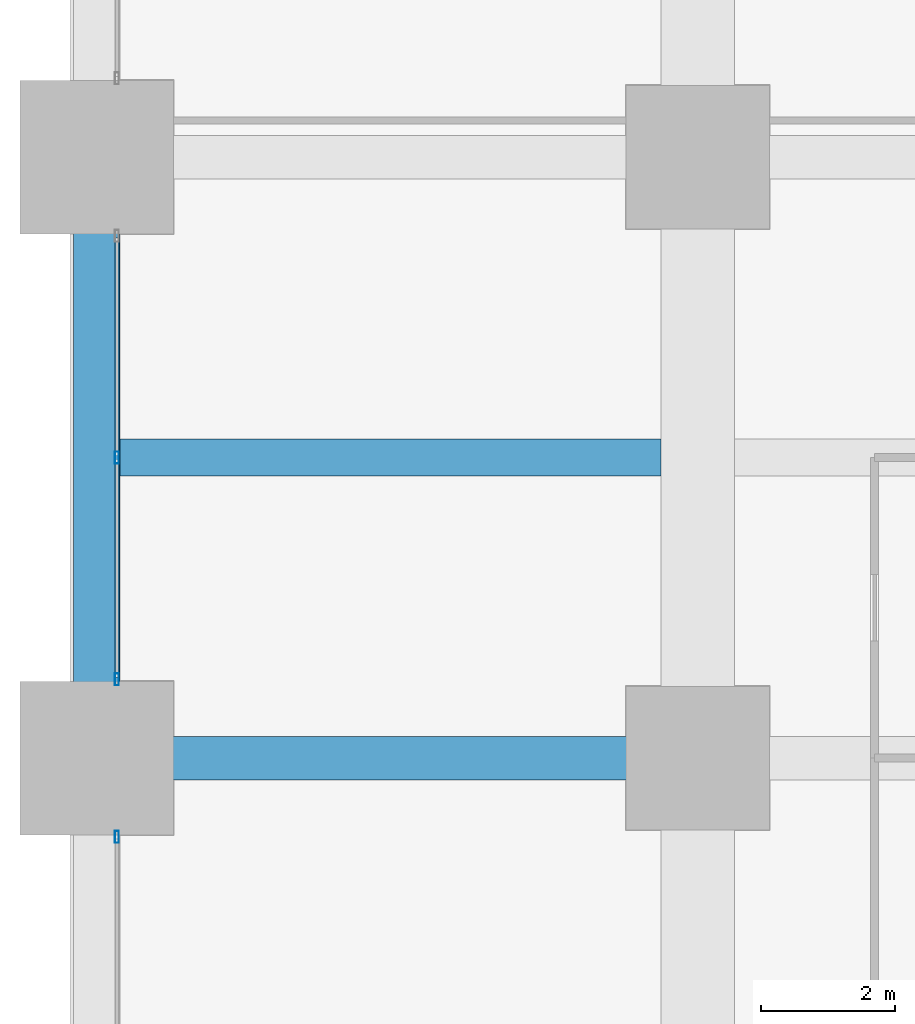
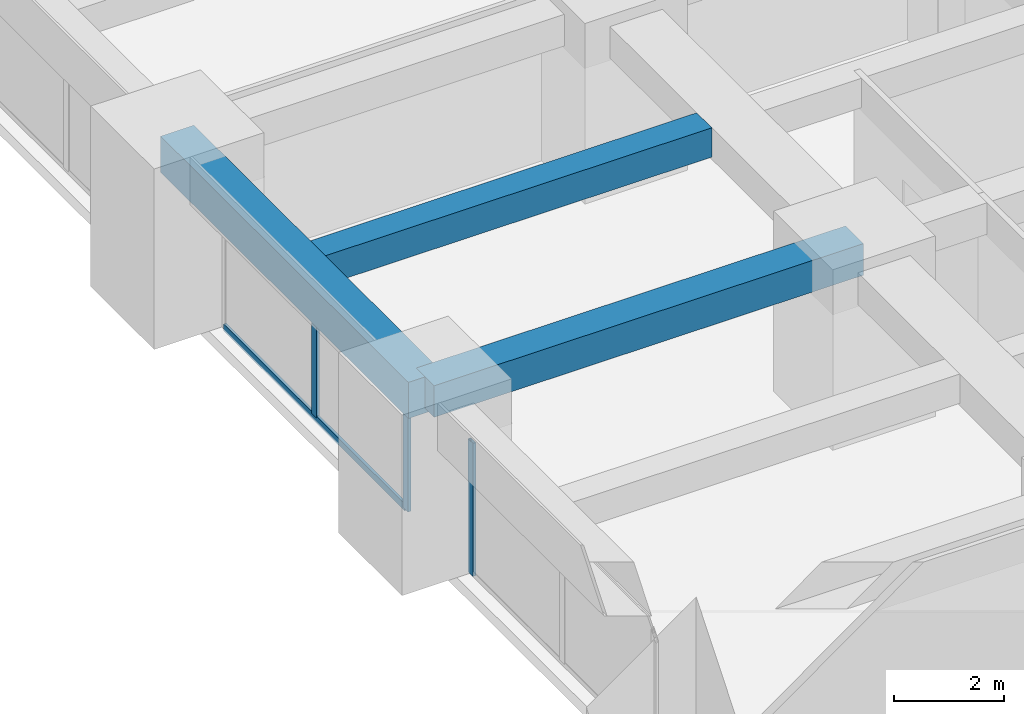
# One storey, part 11 of 44: 4 members, 3 beams, 2 elements without a shape of their own.
"""IFC4 building model written with IfcOpenShell, lengths in metres."""

from ifc_helpers import new_model, si_unit, direction, frame, origin, origin_2d, place, context, subcontext, project, spatial, rectangle, hollow_rectangle, extrude, material, material_profile, profile_set, type_object, element, aggregate, save


model = new_model("IFC4")

# Units and contexts
model_context = context("Model", 3, precision=1e-05, world=origin(), true_north=direction((0.0, 1.0)))
body_context = subcontext(model_context, "Body", "Model", "MODEL_VIEW")
ifc_project = project(units=[si_unit("LENGTHUNIT", "METRE"), si_unit("AREAUNIT", "SQUARE_METRE"), si_unit("VOLUMEUNIT", "CUBIC_METRE"), si_unit("PLANEANGLEUNIT", "RADIAN"), si_unit("MASSUNIT", "GRAM", prefix="KILO")], contexts=[model_context])

# Site, building, storey
site_placement = place(None, origin())
site = spatial("IfcSite", under=ifc_project, at=site_placement, CompositionType="ELEMENT")
building_placement = place(site_placement, origin())
building = spatial("IfcBuilding", under=site, at=building_placement, Name="Zorevar Civic Tower", CompositionType="ELEMENT")
storey_placement = place(building_placement, frame((0.0, 0.0, 55.800048828125)))
storey = spatial("IfcBuildingStorey", under=building, at=storey_placement, Name="L13", CompositionType="ELEMENT", Elevation=55.800048828125)

# Beams
ifc_material_1 = material(Name="Concrete C50/60", Category="concrete")
ifc_material_profile_1 = material_profile(ifc_material_1, rectangle(XDim=0.550048828125, YDim=0.64990234375, at=origin_2d()), Name="RC 550x650")
ifc_profile_set_1 = profile_set([ifc_material_profile_1], Name="Concrete C50/60")
beam_type_1 = type_object("IfcBeamType", Name="Beam RC 550x650", PredefinedType="BEAM", material=ifc_profile_set_1)
beam_1_placement = place(storey_placement, frame((0.35009765625, 31.5, 3.425048828125), z_axis=(1.0, 0.0, 0.0), x_axis=(0.0, 1.0, 0.0)))
element("IfcBeam", 1, at=beam_1_placement, inside=storey, type_object=beam_type_1, Name="Secondary beam L14", PredefinedType="BEAM", context=body_context, shape_type="SweptSolid", body=[
    extrude(rectangle(XDim=0.550048828125, YDim=0.64990234375, at=origin_2d()), origin(), (0.0, 0.0, 1.0), 8.099853515625),
])
ifc_material_2 = material(Name="Concrete C50/60", Category="concrete")
ifc_material_profile_2 = material_profile(ifc_material_2, rectangle(XDim=0.64990234375, YDim=0.699951171875, at=origin_2d()), Name="RC 650x700")
ifc_profile_set_2 = profile_set([ifc_material_profile_2], Name="Concrete C50/60")
beam_type_2 = type_object("IfcBeamType", Name="Beam RC 650x700", PredefinedType="BEAM", material=ifc_profile_set_2)
beam_2_placement = place(storey_placement, frame((0.0, 27.0, 3.39990234375), z_axis=(1.0, 0.0, 0.0), x_axis=(0.0, 1.0, 0.0)))
element("IfcBeam", 2, at=beam_2_placement, inside=storey, type_object=beam_type_2, Name="Girder L14", PredefinedType="BEAM", context=body_context, shape_type="SweptSolid", body=[
    extrude(rectangle(XDim=0.64990234375, YDim=0.699951171875, at=origin_2d()), origin(), (0.0, 0.0, 1.0), 9.0),
])

# Curtain wall, member
ifc_material_3 = material(Name="Dark grey solar-control glass in black aluminium frame", Category="aluminium")
curtain_wall_type = type_object("IfcCurtainWallType", Name="Curtain wall CW2 low zone", PredefinedType="NOTDEFINED", material=ifc_material_3)
curtain_wall_1_placement = place(storey_placement, origin())
curtain_wall_1 = element("IfcCurtainWall", 3, at=curtain_wall_1_placement, inside=storey, type_object=curtain_wall_type, Name="CW2 L13", PredefinedType="NOTDEFINED")
ifc_material_4 = material(Name="Aluminium, black anodised", Category="aluminium")
ifc_material_profile_3 = material_profile(ifc_material_4, hollow_rectangle(XDim=0.06005859375, YDim=0.179931640625, WallThickness=0.00390625, at=origin_2d()), Name="AL 180x60x4")
ifc_profile_set_3 = profile_set([ifc_material_profile_3], Name="Aluminium, black anodised")
member_type_1 = type_object("IfcMemberType", Name="CW2 mullion AL 180x60x4", PredefinedType="MULLION", material=ifc_profile_set_3)
member_1_placement = place(storey_placement, frame((0.300048828125, 25.820068359375, 0.0), z_axis=(0.0, 0.0, 1.0), x_axis=(-1.0, 0.0, 0.0)))
member_1 = element("IfcMember", 4, at=member_1_placement, type_object=member_type_1, Name="CW2 mullion 3", PredefinedType="MULLION", context=body_context, shape_type="SweptSolid", body=[
    extrude(hollow_rectangle(XDim=0.06005859375, YDim=0.179931640625, WallThickness=0.00390625, at=origin_2d()), origin(), (0.0, 0.0, 1.0), 2.949951171875),
])
aggregate(curtain_wall_1, [member_1])

# Curtain wall, members
curtain_wall_2_placement = place(storey_placement, origin())
curtain_wall_2 = element("IfcCurtainWall", 5, at=curtain_wall_2_placement, inside=storey, type_object=curtain_wall_type, Name="CW2 L13", PredefinedType="NOTDEFINED")
member_2_placement = place(storey_placement, frame((0.300048828125, 28.179931640625, 0.0), z_axis=(0.0, 0.0, 1.0), x_axis=(-1.0, 0.0, 0.0)))
member_2 = element("IfcMember", 6, at=member_2_placement, type_object=member_type_1, Name="CW2 mullion 1", PredefinedType="MULLION", context=body_context, shape_type="SweptSolid", body=[
    extrude(hollow_rectangle(XDim=0.06005859375, YDim=0.179931640625, WallThickness=0.00390625, at=origin_2d()), origin(), (0.0, 0.0, 1.0), 2.949951171875),
])
member_3_placement = place(storey_placement, frame((0.300048828125, 31.5, 0.06005859375), z_axis=(0.0, 0.0, 1.0), x_axis=(-1.0, 0.0, 0.0)))
member_3 = element("IfcMember", 7, at=member_3_placement, type_object=member_type_1, Name="CW2 mullion 2", PredefinedType="MULLION", context=body_context, shape_type="SweptSolid", body=[
    extrude(hollow_rectangle(XDim=0.06005859375, YDim=0.179931640625, WallThickness=0.00390625, at=origin_2d()), origin(), (0.0, 0.0, 1.0), 2.889892578125),
])
ifc_material_5 = material(Name="Aluminium, black anodised", Category="aluminium")
ifc_material_profile_4 = material_profile(ifc_material_5, hollow_rectangle(XDim=0.06005859375, YDim=0.14990234375, WallThickness=0.00390625, at=origin_2d()), Name="AL 150x60x4")
ifc_profile_set_4 = profile_set([ifc_material_profile_4], Name="Aluminium, black anodised")
member_type_2 = type_object("IfcMemberType", Name="CW2 transom AL 150x60x4", PredefinedType="USERDEFINED", material=ifc_profile_set_4)
member_4_placement = place(storey_placement, frame((0.300048828125, 28.2099609375, 0.030029296875), z_axis=(0.0, 1.0, 0.0), x_axis=(-1.0, 0.0, 0.0)))
member_4 = element("IfcMember", 8, at=member_4_placement, type_object=member_type_2, Name="CW2 sill transom", ObjectType="TRANSOM", PredefinedType="USERDEFINED", context=body_context, shape_type="SweptSolid", body=[
    extrude(hollow_rectangle(XDim=0.06005859375, YDim=0.14990234375, WallThickness=0.00390625, at=origin_2d()), origin(), (0.0, 0.0, 1.0), 6.580078125),
])
aggregate(curtain_wall_2, [member_2, member_3, member_4])

# Beam
ifc_material_6 = material(Name="Concrete C50/60", Category="concrete")
ifc_material_profile_5 = material_profile(ifc_material_6, rectangle(XDim=0.699951171875, YDim=0.800048828125, at=origin_2d()), Name="RC 700x800")
ifc_profile_set_5 = profile_set([ifc_material_profile_5], Name="Concrete C50/60")
beam_type_3 = type_object("IfcBeamType", Name="Edge beam RC 700x800", PredefinedType="SPANDREL", material=ifc_profile_set_5)
beam_3_placement = place(storey_placement, frame((0.0, 27.0, 3.349853515625), z_axis=(0.0, 1.0, 0.0), x_axis=(-1.0, 0.0, 0.0)))
element("IfcBeam", 9, at=beam_3_placement, inside=storey, type_object=beam_type_3, Name="Edge beam L14", PredefinedType="SPANDREL", context=body_context, shape_type="SweptSolid", body=[
    extrude(rectangle(XDim=0.699951171875, YDim=0.800048828125, at=origin_2d()), origin(), (0.0, 0.0, 1.0), 9.0),
])

save(model, "model.ifc")
